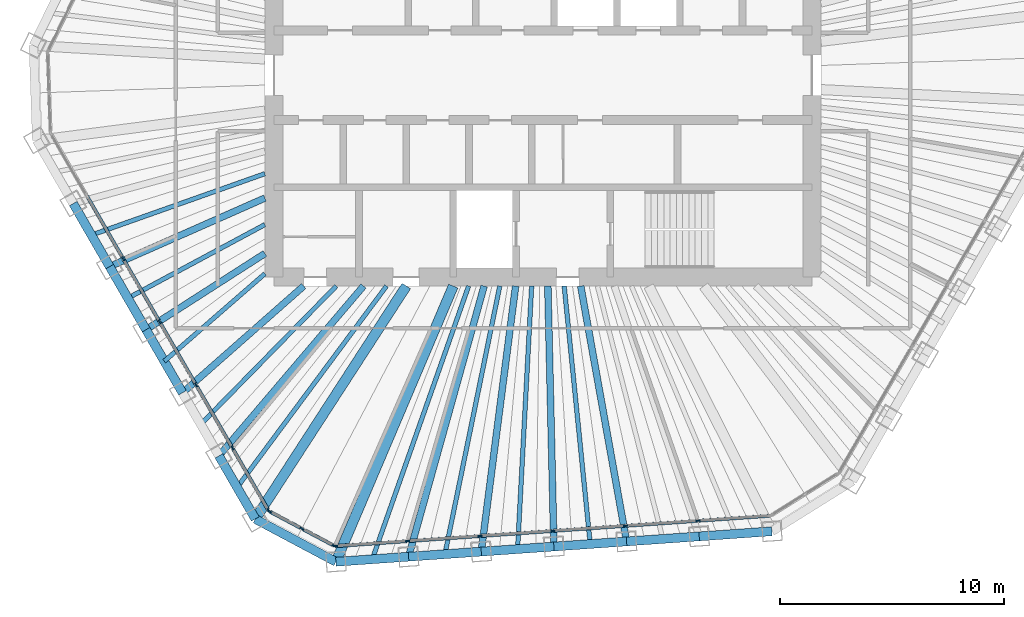
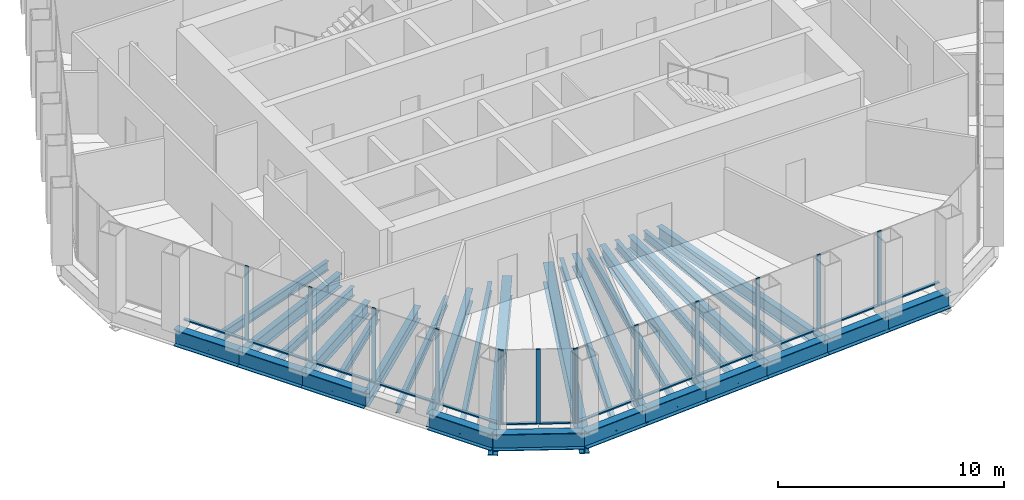
# One storey, part 2 of 14: 30 beams, 27 members, 3 elements without a shape of their own.
"""IFC4 building model written with IfcOpenShell, lengths in metres."""

from ifc_helpers import new_model, si_unit, direction, frame, origin, origin_2d, place, context, subcontext, project, spatial, rectangle, i_section, extrude, material, material_profile, profile_set, type_object, element, aggregate, save


model = new_model("IFC4")

# Units and contexts
model_context = context("Model", 3, precision=1e-05, world=origin(), true_north=direction((0.0, 1.0)))
body_context = subcontext(model_context, "Body", "Model", "MODEL_VIEW")
ifc_project = project(units=[si_unit("LENGTHUNIT", "METRE"), si_unit("AREAUNIT", "SQUARE_METRE"), si_unit("VOLUMEUNIT", "CUBIC_METRE"), si_unit("PLANEANGLEUNIT", "RADIAN"), si_unit("MASSUNIT", "GRAM", prefix="KILO")], contexts=[model_context])

# Site, building, storey
site_placement = place(None, origin())
site = spatial("IfcSite", under=ifc_project, at=site_placement, CompositionType="ELEMENT")
building_placement = place(site_placement, origin())
building = spatial("IfcBuilding", under=site, at=building_placement, Name="Qingtian Harvest Tower", CompositionType="ELEMENT")
storey_placement = place(building_placement, frame((0.0, 0.0, 308.199951171875)))
storey = spatial("IfcBuildingStorey", under=building, at=storey_placement, Name="L68", CompositionType="ELEMENT", Elevation=308.199951171875)

# Beams
ifc_material_1 = material(Name="Steel SM570MC", Category="steel")
ifc_material_profile_1 = material_profile(ifc_material_1, i_section(OverallWidth=0.449951171875, OverallDepth=1.10009765625, WebThickness=0.02197265625, FlangeThickness=0.044921875, at=origin_2d()), Name="H1100x450x22x45")
ifc_profile_set_1 = profile_set([ifc_material_profile_1], Name="Steel SM570MC")
beam_type_1 = type_object("IfcBeamType", Name="Corner floor beam FB8 H1100x450x22x45", PredefinedType="BEAM", material=ifc_profile_set_1)
beam_1_placement = place(storey_placement, frame((-9.231201171875, -21.69677734375, -0.719970703125), z_axis=(0.391505797179, 0.920175641264, 0.0), x_axis=(-0.920175641264, 0.391505797179, 0.0)))
element("IfcBeam", 1, at=beam_1_placement, inside=storey, type_object=beam_type_1, Name="Floor beam FB8 S6", PredefinedType="BEAM", context=body_context, shape_type="SweptSolid", body=[
    extrude(i_section(OverallWidth=0.449951171875, OverallDepth=1.10009765625, WebThickness=0.02197265625, FlangeThickness=0.044921875, at=origin_2d()), origin(), (0.0, 0.0, 1.0), 13.363525390625),
])
beam_2_placement = place(storey_placement, frame((-12.825439453125, -19.78564453125, -0.719970703125), z_axis=(0.543934037964, 0.839127977334, 0.0), x_axis=(-0.839127977334, 0.543934037964, 0.0)))
element("IfcBeam", 2, at=beam_2_placement, inside=storey, type_object=beam_type_1, Name="Floor beam FB8 SW0", PredefinedType="BEAM", context=body_context, shape_type="SweptSolid", body=[
    extrude(i_section(OverallWidth=0.449951171875, OverallDepth=1.10009765625, WebThickness=0.02197265625, FlangeThickness=0.044921875, at=origin_2d()), origin(), (0.0, 0.0, 1.0), 12.376708984375),
])
ifc_material_2 = material(Name="Steel SN490B", Category="steel")
ifc_material_profile_2 = material_profile(ifc_material_2, i_section(OverallWidth=0.300048828125, OverallDepth=0.699951171875, WebThickness=0.012939453125, FlangeThickness=0.02392578125, at=origin_2d()), Name="H700x300x13x24")
ifc_profile_set_2 = profile_set([ifc_material_profile_2], Name="Steel SN490B")
beam_type_2 = type_object("IfcBeamType", Name="Floor beam FB4 H700x300x13x24", PredefinedType="BEAM", material=ifc_profile_set_2)
beam_3_placement = place(storey_placement, frame((3.729248046875, -20.79052734375, -0.52001953125), z_axis=(-0.176558725829, 0.984290107811, 0.0), x_axis=(-0.984290107811, -0.176558725829, 0.0)))
element("IfcBeam", 3, at=beam_3_placement, inside=storey, type_object=beam_type_2, Name="Floor beam FB4 S2", PredefinedType="BEAM", context=body_context, shape_type="SweptSolid", body=[
    extrude(i_section(OverallWidth=0.300048828125, OverallDepth=0.699951171875, WebThickness=0.012939453125, FlangeThickness=0.02392578125, at=origin_2d()), origin(), (0.0, 0.0, 1.0), 11.572509765625),
])
beam_4_placement = place(storey_placement, frame((0.489013671875, -21.01708984375, -0.52001953125), z_axis=(-0.023257829451, 0.9997295001, 0.0), x_axis=(-0.9997295001, -0.023257829451, 0.0)))
element("IfcBeam", 4, at=beam_4_placement, inside=storey, type_object=beam_type_2, Name="Floor beam FB4 S3", PredefinedType="BEAM", context=body_context, shape_type="SweptSolid", body=[
    extrude(i_section(OverallWidth=0.300048828125, OverallDepth=0.699951171875, WebThickness=0.012939453125, FlangeThickness=0.02392578125, at=origin_2d()), origin(), (0.0, 0.0, 1.0), 11.620361328125),
])
beam_5_placement = place(storey_placement, frame((-2.7509765625, -21.24365234375, -0.52001953125), z_axis=(0.128421483878, 0.991719679385, 0.0), x_axis=(-0.991719679385, 0.128421483878, 0.0)))
element("IfcBeam", 5, at=beam_5_placement, inside=storey, type_object=beam_type_2, Name="Floor beam FB4 S4", PredefinedType="BEAM", context=body_context, shape_type="SweptSolid", body=[
    extrude(i_section(OverallWidth=0.300048828125, OverallDepth=0.699951171875, WebThickness=0.012939453125, FlangeThickness=0.02392578125, at=origin_2d()), origin(), (0.0, 0.0, 1.0), 11.942626953125),
])
beam_6_placement = place(storey_placement, frame((-5.9912109375, -21.47021484375, -0.52001953125), z_axis=(0.268777110088, 0.963202400896, 0.0), x_axis=(-0.963202400896, 0.268777110088, 0.0)))
element("IfcBeam", 6, at=beam_6_placement, inside=storey, type_object=beam_type_2, Name="Floor beam FB4 S5", PredefinedType="BEAM", context=body_context, shape_type="SweptSolid", body=[
    extrude(i_section(OverallWidth=0.300048828125, OverallDepth=0.699951171875, WebThickness=0.012939453125, FlangeThickness=0.02392578125, at=origin_2d()), origin(), (0.0, 0.0, 1.0), 12.531494140625),
])
beam_7_placement = place(storey_placement, frame((-14.449462890625, -16.972900390625, -0.52001953125), z_axis=(0.648230392117, 0.761444258457, 0.0), x_axis=(-0.761444258457, 0.648230392117, 0.0)))
element("IfcBeam", 7, at=beam_7_placement, inside=storey, type_object=beam_type_2, Name="Floor beam FB4 SW1", PredefinedType="BEAM", context=body_context, shape_type="SweptSolid", body=[
    extrude(i_section(OverallWidth=0.300048828125, OverallDepth=0.699951171875, WebThickness=0.012939453125, FlangeThickness=0.02392578125, at=origin_2d()), origin(), (0.0, 0.0, 1.0), 9.945556640625),
])
beam_8_placement = place(storey_placement, frame((-16.073486328125, -14.159912109375, -0.52001953125), z_axis=(0.750362998803, 0.661025997997, 0.0), x_axis=(-0.661025997997, 0.750362998803, 0.0)))
element("IfcBeam", 8, at=beam_8_placement, inside=storey, type_object=beam_type_2, Name="Floor beam FB4 SW2", PredefinedType="BEAM", context=body_context, shape_type="SweptSolid", body=[
    extrude(i_section(OverallWidth=0.300048828125, OverallDepth=0.699951171875, WebThickness=0.012939453125, FlangeThickness=0.02392578125, at=origin_2d()), origin(), (0.0, 0.0, 1.0), 7.200927734375),
])
beam_9_placement = place(storey_placement, frame((-17.697509765625, -11.34716796875, -0.52001953125), z_axis=(0.841819476537, 0.539759176785, 0.0), x_axis=(-0.539759176785, 0.841819476537, 0.0)))
element("IfcBeam", 9, at=beam_9_placement, inside=storey, type_object=beam_type_2, Name="Floor beam FB4 SW3", PredefinedType="BEAM", context=body_context, shape_type="SweptSolid", body=[
    extrude(i_section(OverallWidth=0.300048828125, OverallDepth=0.699951171875, WebThickness=0.012939453125, FlangeThickness=0.02392578125, at=origin_2d()), origin(), (0.0, 0.0, 1.0), 6.29296875),
])
beam_10_placement = place(storey_placement, frame((-19.321533203125, -8.5341796875, -0.52001953125), z_axis=(0.914748451897, 0.404023848, 0.0), x_axis=(-0.404023848, 0.914748451897, 0.0)))
element("IfcBeam", 10, at=beam_10_placement, inside=storey, type_object=beam_type_2, Name="Floor beam FB4 SW4", PredefinedType="BEAM", context=body_context, shape_type="SweptSolid", body=[
    extrude(i_section(OverallWidth=0.300048828125, OverallDepth=0.699951171875, WebThickness=0.012939453125, FlangeThickness=0.02392578125, at=origin_2d()), origin(), (0.0, 0.0, 1.0), 7.566650390625),
])
ifc_material_3 = material(Name="Steel SN490B", Category="steel")
ifc_material_profile_3 = material_profile(ifc_material_3, i_section(OverallWidth=0.199951171875, OverallDepth=0.5, WebThickness=0.010009765625, FlangeThickness=0.01611328125, at=origin_2d()), Name="H500x200x10x16")
ifc_profile_set_3 = profile_set([ifc_material_profile_3], Name="Steel SN490B")
beam_type_3 = type_object("IfcBeamType", Name="Floor joist J3 H500x200x10x16", PredefinedType="JOIST", material=ifc_profile_set_3)
beam_11_placement = place(storey_placement, frame((2.109130859375, -20.90380859375, -0.419921875), z_axis=(-0.100381738783, 0.994948996943, 0.0), x_axis=(-0.994948996943, -0.100381738783, 0.0)))
element("IfcBeam", 11, at=beam_11_placement, inside=storey, type_object=beam_type_3, Name="Floor joist J3 S2", PredefinedType="JOIST", context=body_context, shape_type="SweptSolid", body=[
    extrude(i_section(OverallWidth=0.199951171875, OverallDepth=0.5, WebThickness=0.010009765625, FlangeThickness=0.01611328125, at=origin_2d()), origin(), (0.0, 0.0, 1.0), 11.562255859375),
])
beam_12_placement = place(storey_placement, frame((-1.130859375, -21.13037109375, -0.419921875), z_axis=(0.053432551321, 0.998571460868, 0.0), x_axis=(-0.998571460868, 0.053432551321, 0.0)))
element("IfcBeam", 12, at=beam_12_placement, inside=storey, type_object=beam_type_3, Name="Floor joist J3 S3", PredefinedType="JOIST", context=body_context, shape_type="SweptSolid", body=[
    extrude(i_section(OverallWidth=0.199951171875, OverallDepth=0.5, WebThickness=0.010009765625, FlangeThickness=0.01611328125, at=origin_2d()), origin(), (0.0, 0.0, 1.0), 11.747314453125),
])
beam_13_placement = place(storey_placement, frame((-4.37109375, -21.35693359375, -0.419921875), z_axis=(0.200514926646, 0.97969064719, 0.0), x_axis=(-0.97969064719, 0.200514926646, 0.0)))
element("IfcBeam", 13, at=beam_13_placement, inside=storey, type_object=beam_type_3, Name="Floor joist J3 S4", PredefinedType="JOIST", context=body_context, shape_type="SweptSolid", body=[
    extrude(i_section(OverallWidth=0.199951171875, OverallDepth=0.5, WebThickness=0.010009765625, FlangeThickness=0.01611328125, at=origin_2d()), origin(), (0.0, 0.0, 1.0), 12.204833984375),
])
beam_14_placement = place(storey_placement, frame((-7.611083984375, -21.58349609375, -0.419921875), z_axis=(0.332565071267, 0.9430803112, 0.0), x_axis=(-0.9430803112, 0.332565071267, 0.0)))
element("IfcBeam", 14, at=beam_14_placement, inside=storey, type_object=beam_type_3, Name="Floor joist J3 S5", PredefinedType="JOIST", context=body_context, shape_type="SweptSolid", body=[
    extrude(i_section(OverallWidth=0.199951171875, OverallDepth=0.5, WebThickness=0.010009765625, FlangeThickness=0.01611328125, at=origin_2d()), origin(), (0.0, 0.0, 1.0), 12.9189453125),
])
beam_15_placement = place(storey_placement, frame((-13.637451171875, -18.37939453125, -0.419921875), z_axis=(0.595869637911, 0.803081175608, 0.0), x_axis=(-0.803081175608, 0.595869637911, 0.0)))
element("IfcBeam", 15, at=beam_15_placement, inside=storey, type_object=beam_type_3, Name="Floor joist J3 SW0", PredefinedType="JOIST", context=body_context, shape_type="SweptSolid", body=[
    extrude(i_section(OverallWidth=0.199951171875, OverallDepth=0.5, WebThickness=0.010009765625, FlangeThickness=0.01611328125, at=origin_2d()), origin(), (0.0, 0.0, 1.0), 11.181396484375),
])
beam_16_placement = place(storey_placement, frame((-15.261474609375, -15.56640625, -0.419921875), z_axis=(0.700075085428, 0.714069236673, 0.0), x_axis=(-0.714069236673, 0.700075085428, 0.0)))
element("IfcBeam", 16, at=beam_16_placement, inside=storey, type_object=beam_type_3, Name="Floor joist J3 SW1", PredefinedType="JOIST", context=body_context, shape_type="SweptSolid", body=[
    extrude(i_section(OverallWidth=0.199951171875, OverallDepth=0.5, WebThickness=0.010009765625, FlangeThickness=0.01611328125, at=origin_2d()), origin(), (0.0, 0.0, 1.0), 8.6357421875),
])
beam_17_placement = place(storey_placement, frame((-16.885498046875, -12.753662109375, -0.419921875), z_axis=(0.754351783553, 0.656470400437, 0.0), x_axis=(-0.656470400437, 0.754351783553, 0.0)))
element("IfcBeam", 17, at=beam_17_placement, inside=storey, type_object=beam_type_3, Name="Floor joist J3 SW2", PredefinedType="JOIST", context=body_context, shape_type="SweptSolid", body=[
    extrude(i_section(OverallWidth=0.199951171875, OverallDepth=0.5, WebThickness=0.010009765625, FlangeThickness=0.01611328125, at=origin_2d()), origin(), (0.0, 0.0, 1.0), 5.9462890625),
])
beam_18_placement = place(storey_placement, frame((-18.509521484375, -9.940673828125, -0.419921875), z_axis=(0.880999592364, 0.473117023847, 0.0), x_axis=(-0.473117023847, 0.880999592364, 0.0)))
element("IfcBeam", 18, at=beam_18_placement, inside=storey, type_object=beam_type_3, Name="Floor joist J3 SW3", PredefinedType="JOIST", context=body_context, shape_type="SweptSolid", body=[
    extrude(i_section(OverallWidth=0.199951171875, OverallDepth=0.5, WebThickness=0.010009765625, FlangeThickness=0.01611328125, at=origin_2d()), origin(), (0.0, 0.0, 1.0), 6.934814453125),
])
beam_19_placement = place(storey_placement, frame((-20.133544921875, -7.1279296875, -0.419921875), z_axis=(0.942664093486, 0.333743025174, 0.0), x_axis=(-0.333743025174, 0.942664093486, 0.0)))
element("IfcBeam", 19, at=beam_19_placement, inside=storey, type_object=beam_type_3, Name="Floor joist J3 SW4", PredefinedType="JOIST", context=body_context, shape_type="SweptSolid", body=[
    extrude(i_section(OverallWidth=0.199951171875, OverallDepth=0.5, WebThickness=0.010009765625, FlangeThickness=0.01611328125, at=origin_2d()), origin(), (0.0, 0.0, 1.0), 8.2041015625),
])

# Curtain wall, members
ifc_material_4 = material(Name="Bronze-anodised aluminium curtain wall", Category="aluminium")
curtain_wall_type = type_object("IfcCurtainWallType", Name="Curtain wall CW5 upper office", PredefinedType="USERDEFINED", material=ifc_material_4)
curtain_wall_1_placement = place(storey_placement, origin())
curtain_wall_1 = element("IfcCurtainWall", 20, at=curtain_wall_1_placement, inside=storey, type_object=curtain_wall_type, Name="Curtain wall CW5 L68 S0-5", ObjectType="RECESSED CURTAIN WALL", PredefinedType="USERDEFINED")
ifc_material_5 = material(Name="Bronze-anodised aluminium mullion", Category="aluminium")
ifc_material_profile_4 = material_profile(ifc_material_5, rectangle(XDim=0.06494140625, YDim=0.199951171875, at=origin_2d()), Name="AL 65x200")
ifc_profile_set_4 = profile_set([ifc_material_profile_4], Name="Bronze-anodised aluminium mullion")
member_type_1 = type_object("IfcMemberType", Name="Mullion CWM 65x200", PredefinedType="MULLION", material=ifc_profile_set_4)
member_1_placement = place(storey_placement, frame((6.92041015625, -19.86572265625, 0.0), z_axis=(0.0, 0.0, 1.0), x_axis=(0.069756473744, -0.99756405026, 0.0)))
member_1 = element("IfcMember", 21, at=member_1_placement, type_object=member_type_1, Name="CW5 mullion 2", PredefinedType="MULLION", context=body_context, shape_type="SweptSolid", body=[
    extrude(rectangle(XDim=0.06494140625, YDim=0.199951171875, at=origin_2d()), origin(), (0.0, 0.0, 1.0), 4.030029296875),
])
member_2_placement = place(storey_placement, frame((3.680419921875, -20.09228515625, 0.0), z_axis=(0.0, 0.0, 1.0), x_axis=(0.069756473744, -0.99756405026, 0.0)))
member_2 = element("IfcMember", 22, at=member_2_placement, type_object=member_type_1, Name="CW5 mullion 3", PredefinedType="MULLION", context=body_context, shape_type="SweptSolid", body=[
    extrude(rectangle(XDim=0.06494140625, YDim=0.199951171875, at=origin_2d()), origin(), (0.0, 0.0, 1.0), 4.030029296875),
])
member_3_placement = place(storey_placement, frame((0.440185546875, -20.31884765625, 0.0), z_axis=(0.0, 0.0, 1.0), x_axis=(0.069756473744, -0.99756405026, 0.0)))
member_3 = element("IfcMember", 23, at=member_3_placement, type_object=member_type_1, Name="CW5 mullion 4", PredefinedType="MULLION", context=body_context, shape_type="SweptSolid", body=[
    extrude(rectangle(XDim=0.06494140625, YDim=0.199951171875, at=origin_2d()), origin(), (0.0, 0.0, 1.0), 4.030029296875),
])
member_4_placement = place(storey_placement, frame((-2.7998046875, -20.54541015625, 0.0), z_axis=(0.0, 0.0, 1.0), x_axis=(0.069756473744, -0.99756405026, 0.0)))
member_4 = element("IfcMember", 24, at=member_4_placement, type_object=member_type_1, Name="CW5 mullion 5", PredefinedType="MULLION", context=body_context, shape_type="SweptSolid", body=[
    extrude(rectangle(XDim=0.06494140625, YDim=0.199951171875, at=origin_2d()), origin(), (0.0, 0.0, 1.0), 4.030029296875),
])
member_5_placement = place(storey_placement, frame((-6.0400390625, -20.77197265625, 0.0), z_axis=(0.0, 0.0, 1.0), x_axis=(0.069756473744, -0.99756405026, 0.0)))
member_5 = element("IfcMember", 25, at=member_5_placement, type_object=member_type_1, Name="CW5 mullion 6", PredefinedType="MULLION", context=body_context, shape_type="SweptSolid", body=[
    extrude(rectangle(XDim=0.06494140625, YDim=0.199951171875, at=origin_2d()), origin(), (0.0, 0.0, 1.0), 4.030029296875),
])
member_6_placement = place(storey_placement, frame((-9.24755859375, -20.996337890625, 0.0), z_axis=(0.0, 0.0, 1.0), x_axis=(0.069756473744, -0.99756405026, 0.0)))
member_6 = element("IfcMember", 26, at=member_6_placement, type_object=member_type_1, Name="CW5 mullion 7", PredefinedType="MULLION", context=body_context, shape_type="SweptSolid", body=[
    extrude(rectangle(XDim=0.06494140625, YDim=0.199951171875, at=origin_2d()), origin(), (0.0, 0.0, 1.0), 4.030029296875),
])

curtain_wall_2_placement = place(storey_placement, origin())
curtain_wall_2 = element("IfcCurtainWall", 27, at=curtain_wall_2_placement, inside=storey, type_object=curtain_wall_type, Name="Curtain wall CW5 L68 SC", ObjectType="RECESSED CURTAIN WALL", PredefinedType="USERDEFINED")
member_7_placement = place(storey_placement, frame((-9.308837890625, -20.983154296875, 0.0), z_axis=(0.0, 0.0, 1.0), x_axis=(-0.469471562786, -0.882947592859, 0.0)))
member_7 = element("IfcMember", 28, at=member_7_placement, type_object=member_type_1, Name="CW5 mullion 1", PredefinedType="MULLION", context=body_context, shape_type="SweptSolid", body=[
    extrude(rectangle(XDim=0.06494140625, YDim=0.199951171875, at=origin_2d()), origin(), (0.0, 0.0, 1.0), 4.030029296875),
])
member_8_placement = place(storey_placement, frame((-10.749755859375, -20.217041015625, 0.0), z_axis=(0.0, 0.0, 1.0), x_axis=(-0.469471562786, -0.882947592859, 0.0)))
member_8 = element("IfcMember", 29, at=member_8_placement, type_object=member_type_1, Name="CW5 mullion 2", PredefinedType="MULLION", context=body_context, shape_type="SweptSolid", body=[
    extrude(rectangle(XDim=0.06494140625, YDim=0.199951171875, at=origin_2d()), origin(), (0.0, 0.0, 1.0), 4.030029296875),
])
member_9_placement = place(storey_placement, frame((-12.1904296875, -19.450927734375, 0.0), z_axis=(0.0, 0.0, 1.0), x_axis=(-0.469471562786, -0.882947592859, 0.0)))
member_9 = element("IfcMember", 30, at=member_9_placement, type_object=member_type_1, Name="CW5 mullion 3", PredefinedType="MULLION", context=body_context, shape_type="SweptSolid", body=[
    extrude(rectangle(XDim=0.06494140625, YDim=0.199951171875, at=origin_2d()), origin(), (0.0, 0.0, 1.0), 4.030029296875),
])

curtain_wall_3_placement = place(storey_placement, origin())
curtain_wall_3 = element("IfcCurtainWall", 31, at=curtain_wall_3_placement, inside=storey, type_object=curtain_wall_type, Name="Curtain wall CW5 L68 SW0-5", ObjectType="RECESSED CURTAIN WALL", PredefinedType="USERDEFINED")
member_10_placement = place(storey_placement, frame((-12.2353515625, -19.40771484375, 0.0), z_axis=(0.0, 0.0, 1.0), x_axis=(-0.866025403784, -0.5, 0.0)))
member_10 = element("IfcMember", 32, at=member_10_placement, type_object=member_type_1, Name="CW5 mullion 1", PredefinedType="MULLION", context=body_context, shape_type="SweptSolid", body=[
    extrude(rectangle(XDim=0.06494140625, YDim=0.199951171875, at=origin_2d()), origin(), (0.0, 0.0, 1.0), 4.030029296875),
])
member_11_placement = place(storey_placement, frame((-13.84326171875, -16.622802734375, 0.0), z_axis=(0.0, 0.0, 1.0), x_axis=(-0.866025403784, -0.5, 0.0)))
member_11 = element("IfcMember", 33, at=member_11_placement, type_object=member_type_1, Name="CW5 mullion 2", PredefinedType="MULLION", context=body_context, shape_type="SweptSolid", body=[
    extrude(rectangle(XDim=0.06494140625, YDim=0.199951171875, at=origin_2d()), origin(), (0.0, 0.0, 1.0), 4.030029296875),
])
member_12_placement = place(storey_placement, frame((-15.46728515625, -13.81005859375, 0.0), z_axis=(0.0, 0.0, 1.0), x_axis=(-0.866025403784, -0.5, 0.0)))
member_12 = element("IfcMember", 34, at=member_12_placement, type_object=member_type_1, Name="CW5 mullion 3", PredefinedType="MULLION", context=body_context, shape_type="SweptSolid", body=[
    extrude(rectangle(XDim=0.06494140625, YDim=0.199951171875, at=origin_2d()), origin(), (0.0, 0.0, 1.0), 4.030029296875),
])
member_13_placement = place(storey_placement, frame((-17.09130859375, -10.9970703125, 0.0), z_axis=(0.0, 0.0, 1.0), x_axis=(-0.866025403784, -0.5, 0.0)))
member_13 = element("IfcMember", 35, at=member_13_placement, type_object=member_type_1, Name="CW5 mullion 4", PredefinedType="MULLION", context=body_context, shape_type="SweptSolid", body=[
    extrude(rectangle(XDim=0.06494140625, YDim=0.199951171875, at=origin_2d()), origin(), (0.0, 0.0, 1.0), 4.030029296875),
])
member_14_placement = place(storey_placement, frame((-18.71533203125, -8.184326171875, 0.0), z_axis=(0.0, 0.0, 1.0), x_axis=(-0.866025403784, -0.5, 0.0)))
member_14 = element("IfcMember", 36, at=member_14_placement, type_object=member_type_1, Name="CW5 mullion 5", PredefinedType="MULLION", context=body_context, shape_type="SweptSolid", body=[
    extrude(rectangle(XDim=0.06494140625, YDim=0.199951171875, at=origin_2d()), origin(), (0.0, 0.0, 1.0), 4.030029296875),
])

# Beams
ifc_material_6 = material(Name="Steel SN490B", Category="steel")
ifc_material_profile_5 = material_profile(ifc_material_6, i_section(OverallWidth=0.39990234375, OverallDepth=0.89990234375, WebThickness=0.01904296875, FlangeThickness=0.035888671875, at=origin_2d()), Name="H900x400x19x36")
ifc_profile_set_5 = profile_set([ifc_material_profile_5], Name="Steel SN490B")
beam_type_4 = type_object("IfcBeamType", Name="Spandrel beam SB4 H900x400x19x36", PredefinedType="SPANDREL", material=ifc_profile_set_5)
beam_20_placement = place(storey_placement, frame((10.20947265625, -20.33740234375, -0.449951171875), z_axis=(-0.9975644093, -0.069751339047, 0.0), x_axis=(0.069751339047, -0.9975644093, 0.0)))
element("IfcBeam", 37, at=beam_20_placement, inside=storey, type_object=beam_type_4, Name="Spandrel SB4 S0", PredefinedType="SPANDREL", context=body_context, shape_type="SweptSolid", body=[
    extrude(i_section(OverallWidth=0.39990234375, OverallDepth=0.89990234375, WebThickness=0.01904296875, FlangeThickness=0.035888671875, at=origin_2d()), origin(), (0.0, 0.0, 1.0), 3.248046875),
])
beam_21_placement = place(storey_placement, frame((6.96923828125, -20.56396484375, -0.449951171875), z_axis=(-0.997564043571, -0.069756569394, 0.0), x_axis=(0.069756569394, -0.997564043571, 0.0)))
element("IfcBeam", 38, at=beam_21_placement, inside=storey, type_object=beam_type_4, Name="Spandrel SB4 S1", PredefinedType="SPANDREL", context=body_context, shape_type="SweptSolid", body=[
    extrude(i_section(OverallWidth=0.39990234375, OverallDepth=0.89990234375, WebThickness=0.01904296875, FlangeThickness=0.035888671875, at=origin_2d()), origin(), (0.0, 0.0, 1.0), 3.247802734375),
])
beam_22_placement = place(storey_placement, frame((3.729248046875, -20.79052734375, -0.449951171875), z_axis=(-0.9975644093, -0.069751339047, 0.0), x_axis=(0.069751339047, -0.9975644093, 0.0)))
element("IfcBeam", 39, at=beam_22_placement, inside=storey, type_object=beam_type_4, Name="Spandrel SB4 S2", PredefinedType="SPANDREL", context=body_context, shape_type="SweptSolid", body=[
    extrude(i_section(OverallWidth=0.39990234375, OverallDepth=0.89990234375, WebThickness=0.01904296875, FlangeThickness=0.035888671875, at=origin_2d()), origin(), (0.0, 0.0, 1.0), 3.248046875),
])
beam_23_placement = place(storey_placement, frame((0.489013671875, -21.01708984375, -0.449951171875), z_axis=(-0.997564043571, -0.069756569394, 0.0), x_axis=(0.069756569394, -0.997564043571, 0.0)))
element("IfcBeam", 40, at=beam_23_placement, inside=storey, type_object=beam_type_4, Name="Spandrel SB4 S3", PredefinedType="SPANDREL", context=body_context, shape_type="SweptSolid", body=[
    extrude(i_section(OverallWidth=0.39990234375, OverallDepth=0.89990234375, WebThickness=0.01904296875, FlangeThickness=0.035888671875, at=origin_2d()), origin(), (0.0, 0.0, 1.0), 3.247802734375),
])
beam_24_placement = place(storey_placement, frame((-2.7509765625, -21.24365234375, -0.449951171875), z_axis=(-0.9975644093, -0.069751339047, 0.0), x_axis=(0.069751339047, -0.9975644093, 0.0)))
element("IfcBeam", 41, at=beam_24_placement, inside=storey, type_object=beam_type_4, Name="Spandrel SB4 S4", PredefinedType="SPANDREL", context=body_context, shape_type="SweptSolid", body=[
    extrude(i_section(OverallWidth=0.39990234375, OverallDepth=0.89990234375, WebThickness=0.01904296875, FlangeThickness=0.035888671875, at=origin_2d()), origin(), (0.0, 0.0, 1.0), 3.248046875),
])
beam_25_placement = place(storey_placement, frame((-5.9912109375, -21.47021484375, -0.449951171875), z_axis=(-0.997564043571, -0.069756569394, 0.0), x_axis=(0.069756569394, -0.997564043571, 0.0)))
element("IfcBeam", 42, at=beam_25_placement, inside=storey, type_object=beam_type_4, Name="Spandrel SB4 S5", PredefinedType="SPANDREL", context=body_context, shape_type="SweptSolid", body=[
    extrude(i_section(OverallWidth=0.39990234375, OverallDepth=0.89990234375, WebThickness=0.01904296875, FlangeThickness=0.035888671875, at=origin_2d()), origin(), (0.0, 0.0, 1.0), 3.247802734375),
])
beam_26_placement = place(storey_placement, frame((-9.231201171875, -21.69677734375, -0.449951171875), z_axis=(-0.882943273379, 0.469479686456, 0.0), x_axis=(-0.469479686456, -0.882943273379, 0.0)))
element("IfcBeam", 43, at=beam_26_placement, inside=storey, type_object=beam_type_4, Name="Spandrel SB4 SC", PredefinedType="SPANDREL", context=body_context, shape_type="SweptSolid", body=[
    extrude(i_section(OverallWidth=0.39990234375, OverallDepth=0.89990234375, WebThickness=0.01904296875, FlangeThickness=0.035888671875, at=origin_2d()), origin(), (0.0, 0.0, 1.0), 4.07080078125),
])
for number, where, z_axis, x_axis, name in (
    (44, (-12.825439453125, -19.78564453125, -0.449951171875), (-0.500019593356, 0.866014091259, 0.0), (-0.866014091259, -0.500019593356, 0.0), "Spandrel SB4 SW0"),
    (45, (-16.073486328125, -14.159912109375, -0.449951171875), (-0.500019593356, 0.866014091259, 0.0), (-0.866014091259, -0.500019593356, 0.0), "Spandrel SB4 SW2"),
):
    element("IfcBeam", number, at=place(storey_placement, frame(where, z_axis=z_axis, x_axis=x_axis)), inside=storey, type_object=beam_type_4, Name=name, PredefinedType="SPANDREL", context=body_context, shape_type="SweptSolid", body=[
        extrude(i_section(OverallWidth=0.39990234375, OverallDepth=0.89990234375, WebThickness=0.01904296875, FlangeThickness=0.035888671875, at=origin_2d()), origin(), (0.0, 0.0, 1.0), 3.247802734375),
    ])
beam_27_placement = place(storey_placement, frame((-17.697509765625, -11.34716796875, -0.449951171875), z_axis=(-0.499987045439, 0.866032882975, 0.0), x_axis=(-0.866032882975, -0.499987045439, 0.0)))
element("IfcBeam", 46, at=beam_27_placement, inside=storey, type_object=beam_type_4, Name="Spandrel SB4 SW3", PredefinedType="SPANDREL", context=body_context, shape_type="SweptSolid", body=[
    extrude(i_section(OverallWidth=0.39990234375, OverallDepth=0.89990234375, WebThickness=0.01904296875, FlangeThickness=0.035888671875, at=origin_2d()), origin(), (0.0, 0.0, 1.0), 3.248046875),
])
beam_28_placement = place(storey_placement, frame((-19.321533203125, -8.5341796875, -0.449951171875), z_axis=(-0.500019593356, 0.866014091259, 0.0), x_axis=(-0.866014091259, -0.500019593356, 0.0)))
element("IfcBeam", 47, at=beam_28_placement, inside=storey, type_object=beam_type_4, Name="Spandrel SB4 SW4", PredefinedType="SPANDREL", context=body_context, shape_type="SweptSolid", body=[
    extrude(i_section(OverallWidth=0.39990234375, OverallDepth=0.89990234375, WebThickness=0.01904296875, FlangeThickness=0.035888671875, at=origin_2d()), origin(), (0.0, 0.0, 1.0), 3.247802734375),
])

# Member
ifc_material_7 = material(Name="Bronze-anodised aluminium transom", Category="aluminium")
ifc_material_profile_6 = material_profile(ifc_material_7, rectangle(XDim=0.14990234375, YDim=0.06494140625, at=origin_2d()), Name="AL 65x150")
ifc_profile_set_6 = profile_set([ifc_material_profile_6], Name="Bronze-anodised aluminium transom")
member_type_2 = type_object("IfcMemberType", Name="Transom CWT 65x150", PredefinedType="USERDEFINED", material=ifc_profile_set_6)
member_15_placement = place(storey_placement, frame((10.095703125, -19.6435546875, 0.032470703125), z_axis=(-0.997564955301, -0.069743529851, 0.0), x_axis=(0.069743529851, -0.997564955301, 0.0)))
member_15 = element("IfcMember", 48, at=member_15_placement, type_object=member_type_2, Name="CW5 transom 1.1", ObjectType="TRANSOM", PredefinedType="USERDEFINED", context=body_context, shape_type="SweptSolid", body=[
    extrude(rectangle(XDim=0.14990234375, YDim=0.06494140625, at=origin_2d()), origin(), (0.0, 0.0, 1.0), 3.150390625),
])

member_16_placement = place(storey_placement, frame((6.88818359375, -19.867919921875, 0.032470703125), z_axis=(-0.997566548107, -0.069720743674, 0.0), x_axis=(0.069720743674, -0.997566548107, 0.0)))
member_16 = element("IfcMember", 49, at=member_16_placement, type_object=member_type_2, Name="CW5 transom 2.1", ObjectType="TRANSOM", PredefinedType="USERDEFINED", context=body_context, shape_type="SweptSolid", body=[
    extrude(rectangle(XDim=0.14990234375, YDim=0.06494140625, at=origin_2d()), origin(), (0.0, 0.0, 1.0), 3.18310546875),
])

member_17_placement = place(storey_placement, frame((3.64794921875, -20.094482421875, 0.032470703125), z_axis=(-0.997566548107, -0.069720743674, 0.0), x_axis=(0.069720743674, -0.997566548107, 0.0)))
member_17 = element("IfcMember", 50, at=member_17_placement, type_object=member_type_2, Name="CW5 transom 3.1", ObjectType="TRANSOM", PredefinedType="USERDEFINED", context=body_context, shape_type="SweptSolid", body=[
    extrude(rectangle(XDim=0.14990234375, YDim=0.06494140625, at=origin_2d()), origin(), (0.0, 0.0, 1.0), 3.18310546875),
])

member_18_placement = place(storey_placement, frame((0.407958984375, -20.321044921875, 0.032470703125), z_axis=(-0.997566548107, -0.069720743674, 0.0), x_axis=(0.069720743674, -0.997566548107, 0.0)))
member_18 = element("IfcMember", 51, at=member_18_placement, type_object=member_type_2, Name="CW5 transom 4.1", ObjectType="TRANSOM", PredefinedType="USERDEFINED", context=body_context, shape_type="SweptSolid", body=[
    extrude(rectangle(XDim=0.14990234375, YDim=0.06494140625, at=origin_2d()), origin(), (0.0, 0.0, 1.0), 3.18310546875),
])

member_19_placement = place(storey_placement, frame((-2.832275390625, -20.547607421875, 0.032470703125), z_axis=(-0.997561210613, -0.06979707071, 0.0), x_axis=(0.06979707071, -0.997561210613, 0.0)))
member_19 = element("IfcMember", 52, at=member_19_placement, type_object=member_type_2, Name="CW5 transom 5.1", ObjectType="TRANSOM", PredefinedType="USERDEFINED", context=body_context, shape_type="SweptSolid", body=[
    extrude(rectangle(XDim=0.14990234375, YDim=0.06494140625, at=origin_2d()), origin(), (0.0, 0.0, 1.0), 3.18310546875),
])

member_20_placement = place(storey_placement, frame((-6.072509765625, -20.774169921875, 0.032470703125), z_axis=(-0.997564955301, -0.069743529851, 0.0), x_axis=(0.069743529851, -0.997564955301, 0.0)))
member_20 = element("IfcMember", 53, at=member_20_placement, type_object=member_type_2, Name="CW5 transom 6.1", ObjectType="TRANSOM", PredefinedType="USERDEFINED", context=body_context, shape_type="SweptSolid", body=[
    extrude(rectangle(XDim=0.14990234375, YDim=0.06494140625, at=origin_2d()), origin(), (0.0, 0.0, 1.0), 3.150390625),
])

aggregate(curtain_wall_1, [member_1, member_2, member_3, member_4, member_5, member_6, member_15, member_16, member_17, member_18, member_19, member_20])

member_21_placement = place(storey_placement, frame((-9.33740234375, -20.968017578125, 0.032470703125), z_axis=(-0.882960338349, 0.46944759122, 0.0), x_axis=(-0.46944759122, -0.882960338349, 0.0)))
member_21 = element("IfcMember", 54, at=member_21_placement, type_object=member_type_2, Name="CW5 transom 1.1", ObjectType="TRANSOM", PredefinedType="USERDEFINED", context=body_context, shape_type="SweptSolid", body=[
    extrude(rectangle(XDim=0.14990234375, YDim=0.06494140625, at=origin_2d()), origin(), (0.0, 0.0, 1.0), 1.56689453125),
])

member_22_placement = place(storey_placement, frame((-10.7783203125, -20.201904296875, 0.032470703125), z_axis=(-0.882960338349, 0.46944759122, 0.0), x_axis=(-0.46944759122, -0.882960338349, 0.0)))
member_22 = element("IfcMember", 55, at=member_22_placement, type_object=member_type_2, Name="CW5 transom 2.1", ObjectType="TRANSOM", PredefinedType="USERDEFINED", context=body_context, shape_type="SweptSolid", body=[
    extrude(rectangle(XDim=0.14990234375, YDim=0.06494140625, at=origin_2d()), origin(), (0.0, 0.0, 1.0), 1.56689453125),
])

aggregate(curtain_wall_2, [member_7, member_8, member_9, member_21, member_22])

member_23_placement = place(storey_placement, frame((-12.251708984375, -19.37939453125, 0.032470703125), z_axis=(-0.50000643655, 0.866021687608, 0.0), x_axis=(-0.866021687608, -0.50000643655, 0.0)))
member_23 = element("IfcMember", 56, at=member_23_placement, type_object=member_type_2, Name="CW5 transom 1.1", ObjectType="TRANSOM", PredefinedType="USERDEFINED", context=body_context, shape_type="SweptSolid", body=[
    extrude(rectangle(XDim=0.14990234375, YDim=0.06494140625, at=origin_2d()), origin(), (0.0, 0.0, 1.0), 3.150390625),
])

member_24_placement = place(storey_placement, frame((-13.859375, -16.5947265625, 0.032470703125), z_axis=(-0.5000079448, 0.866020816803, 0.0), x_axis=(-0.866020816803, -0.5000079448, 0.0)))
member_24 = element("IfcMember", 57, at=member_24_placement, type_object=member_type_2, Name="CW5 transom 2.1", ObjectType="TRANSOM", PredefinedType="USERDEFINED", context=body_context, shape_type="SweptSolid", body=[
    extrude(rectangle(XDim=0.14990234375, YDim=0.06494140625, at=origin_2d()), origin(), (0.0, 0.0, 1.0), 3.18310546875),
])

member_25_placement = place(storey_placement, frame((-15.4833984375, -13.78173828125, 0.032470703125), z_axis=(-0.500041159108, 0.866001639258, 0.0), x_axis=(-0.866001639258, -0.500041159108, 0.0)))
member_25 = element("IfcMember", 58, at=member_25_placement, type_object=member_type_2, Name="CW5 transom 3.1", ObjectType="TRANSOM", PredefinedType="USERDEFINED", context=body_context, shape_type="SweptSolid", body=[
    extrude(rectangle(XDim=0.14990234375, YDim=0.06494140625, at=origin_2d()), origin(), (0.0, 0.0, 1.0), 3.182861328125),
])

member_26_placement = place(storey_placement, frame((-17.107421875, -10.968994140625, 0.032470703125), z_axis=(-0.5000079448, 0.866020816803, 0.0), x_axis=(-0.866020816803, -0.5000079448, 0.0)))
member_26 = element("IfcMember", 59, at=member_26_placement, type_object=member_type_2, Name="CW5 transom 4.1", ObjectType="TRANSOM", PredefinedType="USERDEFINED", context=body_context, shape_type="SweptSolid", body=[
    extrude(rectangle(XDim=0.14990234375, YDim=0.06494140625, at=origin_2d()), origin(), (0.0, 0.0, 1.0), 3.18310546875),
])

member_27_placement = place(storey_placement, frame((-18.7314453125, -8.156005859375, 0.032470703125), z_axis=(-0.5000079448, 0.866020816803, 0.0), x_axis=(-0.866020816803, -0.5000079448, 0.0)))
member_27 = element("IfcMember", 60, at=member_27_placement, type_object=member_type_2, Name="CW5 transom 5.1", ObjectType="TRANSOM", PredefinedType="USERDEFINED", context=body_context, shape_type="SweptSolid", body=[
    extrude(rectangle(XDim=0.14990234375, YDim=0.06494140625, at=origin_2d()), origin(), (0.0, 0.0, 1.0), 3.18310546875),
])

aggregate(curtain_wall_3, [member_10, member_11, member_12, member_13, member_14, member_23, member_24, member_25, member_26, member_27])

save(model, "model.ifc")
